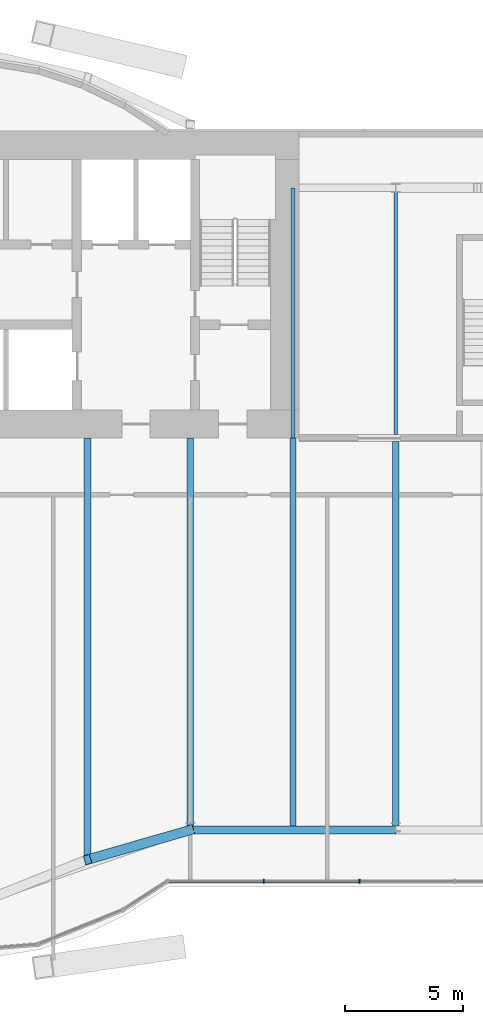
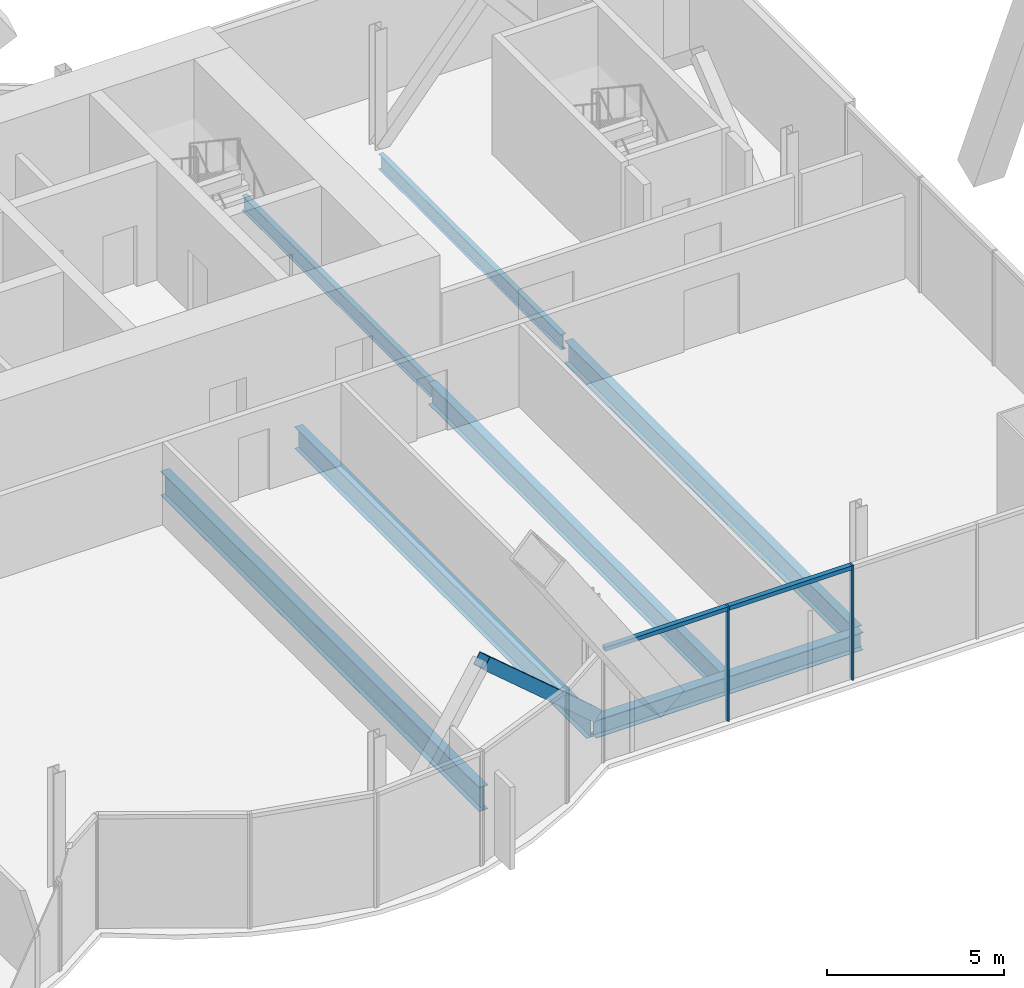
# One storey, part 11 of 24: 7 beams, 5 members, 1 element without a shape of its own.
"""IFC4 building model written with IfcOpenShell, lengths in metres."""

from ifc_helpers import new_model, si_unit, direction, frame, origin, origin_2d, place, context, subcontext, project, spatial, rectangle, hollow_rectangle, i_section, extrude, material, material_profile, profile_set, type_object, element, aggregate, save


model = new_model("IFC4")

# Units and contexts
model_context = context("Model", 3, precision=1e-05, world=origin(), true_north=direction((0.0, 1.0)))
body_context = subcontext(model_context, "Body", "Model", "MODEL_VIEW")
ifc_project = project(units=[si_unit("LENGTHUNIT", "METRE"), si_unit("AREAUNIT", "SQUARE_METRE"), si_unit("VOLUMEUNIT", "CUBIC_METRE"), si_unit("PLANEANGLEUNIT", "RADIAN"), si_unit("MASSUNIT", "GRAM", prefix="KILO")], contexts=[model_context])

# Site, building, storey
site_placement = place(None, origin())
site = spatial("IfcSite", under=ifc_project, at=site_placement, CompositionType="ELEMENT")
building_placement = place(site_placement, origin())
building = spatial("IfcBuilding", under=site, at=building_placement, Name="Bicima Exchange Tower", CompositionType="ELEMENT")
storey_placement = place(building_placement, frame((0.0, 0.0, 211.39990234375)))
storey = spatial("IfcBuildingStorey", under=building, at=storey_placement, Name="L47", CompositionType="ELEMENT", Elevation=211.39990234375)

# Beams
ifc_material_1 = material(Name="Steel ASTM A992 Gr 50", Category="steel")
ifc_material_profile_1 = material_profile(ifc_material_1, i_section(OverallWidth=0.165771484375, OverallDepth=0.5283203125, WebThickness=0.009765625, FlangeThickness=0.013671875, at=origin_2d()))
ifc_profile_set_1 = profile_set([ifc_material_profile_1], Name="Steel ASTM A992 Gr 50")
beam_type_1 = type_object("IfcBeamType", Name="Floor beam W21x50", PredefinedType="JOIST", material=ifc_profile_set_1)
beam_1_placement = place(storey_placement, frame((21.75, -2.39990234375, -0.4140625), z_axis=(0.0, -1.0, 0.0), x_axis=(1.0, 0.0, 0.0)))
element("IfcBeam", 1, at=beam_1_placement, inside=storey, type_object=beam_type_1, Name="Floor beam", PredefinedType="JOIST", context=body_context, shape_type="SweptSolid", body=[
    extrude(i_section(OverallWidth=0.165771484375, OverallDepth=0.5283203125, WebThickness=0.009765625, FlangeThickness=0.013671875, at=origin_2d()), origin(), (0.0, 0.0, 1.0), 10.60009765625),
])
beam_2_placement = place(storey_placement, frame((26.10009765625, -2.5625, -0.4140625), z_axis=(0.0, -1.0, 0.0), x_axis=(1.0, 0.0, 0.0)))
element("IfcBeam", 2, at=beam_2_placement, inside=storey, type_object=beam_type_1, Name="Floor beam", PredefinedType="JOIST", context=body_context, shape_type="SweptSolid", body=[
    extrude(i_section(OverallWidth=0.165771484375, OverallDepth=0.5283203125, WebThickness=0.009765625, FlangeThickness=0.013671875, at=origin_2d()), origin(), (0.0, 0.0, 1.0), 10.28515625),
])
ifc_material_profile_2 = material_profile(ifc_material_1, i_section(OverallWidth=0.2666015625, OverallDepth=0.75439453125, WebThickness=0.01318359375, FlangeThickness=0.01708984375, at=origin_2d()))
ifc_profile_set_2 = profile_set([ifc_material_profile_2], Name="Steel ASTM A992 Gr 50")
beam_type_2 = type_object("IfcBeamType", Name="Floor beam W30x99", PredefinedType="JOIST", material=ifc_profile_set_2)
beam_3_placement = place(storey_placement, frame((17.39990234375, -13.0, -0.527099609375), z_axis=(0.0, -1.0, 0.0), x_axis=(1.0, 0.0, 0.0)))
element("IfcBeam", 3, at=beam_3_placement, inside=storey, type_object=beam_type_2, Name="Floor beam", PredefinedType="JOIST", context=body_context, shape_type="SweptSolid", body=[
    extrude(i_section(OverallWidth=0.2666015625, OverallDepth=0.75439453125, WebThickness=0.01318359375, FlangeThickness=0.01708984375, at=origin_2d()), origin(), (0.0, 0.0, 1.0), 16.46044921875),
])
beam_4_placement = place(storey_placement, frame((21.75, -13.0, -0.527099609375), z_axis=(0.0, -1.0, 0.0), x_axis=(1.0, 0.0, 0.0)))
element("IfcBeam", 4, at=beam_4_placement, inside=storey, type_object=beam_type_2, Name="Floor beam", PredefinedType="JOIST", context=body_context, shape_type="SweptSolid", body=[
    extrude(i_section(OverallWidth=0.2666015625, OverallDepth=0.75439453125, WebThickness=0.01318359375, FlangeThickness=0.01708984375, at=origin_2d()), origin(), (0.0, 0.0, 1.0), 16.433349609375),
])
beam_5_placement = place(storey_placement, frame((26.10009765625, -13.15234375, -0.527099609375), z_axis=(0.0, -1.0, 0.0), x_axis=(1.0, 0.0, 0.0)))
element("IfcBeam", 5, at=beam_5_placement, inside=storey, type_object=beam_type_2, Name="Floor beam", PredefinedType="JOIST", context=body_context, shape_type="SweptSolid", body=[
    extrude(i_section(OverallWidth=0.2666015625, OverallDepth=0.75439453125, WebThickness=0.01318359375, FlangeThickness=0.01708984375, at=origin_2d()), origin(), (0.0, 0.0, 1.0), 16.281005859375),
])
ifc_material_profile_3 = material_profile(ifc_material_1, i_section(OverallWidth=0.2919921875, OverallDepth=0.835693359375, WebThickness=0.013916015625, FlangeThickness=0.018798828125, at=origin_2d()))
ifc_profile_set_3 = profile_set([ifc_material_profile_3], Name="Steel ASTM A992 Gr 50")
beam_type_3 = type_object("IfcBeamType", Name="Floor beam W33x118", PredefinedType="JOIST", material=ifc_profile_set_3)
beam_6_placement = place(storey_placement, frame((13.050048828125, -13.0, -0.567626953125), z_axis=(0.0, -1.0, 0.0), x_axis=(1.0, 0.0, 0.0)))
element("IfcBeam", 6, at=beam_6_placement, inside=storey, type_object=beam_type_3, Name="Floor beam", PredefinedType="JOIST", context=body_context, shape_type="SweptSolid", body=[
    extrude(i_section(OverallWidth=0.2919921875, OverallDepth=0.835693359375, WebThickness=0.013916015625, FlangeThickness=0.018798828125, at=origin_2d()), origin(), (0.0, 0.0, 1.0), 17.955810546875),
])
ifc_material_profile_4 = material_profile(ifc_material_1, i_section(OverallWidth=0.3251953125, OverallDepth=0.612060546875, WebThickness=0.0126953125, FlangeThickness=0.01904296875, at=origin_2d()))
ifc_profile_set_4 = profile_set([ifc_material_profile_4], Name="Steel ASTM A992 Gr 50")
beam_type_4 = type_object("IfcBeamType", Name="Front girder W24x104", PredefinedType="BEAM", material=ifc_profile_set_4)
beam_7_placement = place(storey_placement, frame((17.39990234375, -29.595947265625, -0.4560546875), z_axis=(1.0, 0.0, 0.0), x_axis=(0.0, 1.0, 0.0)))
element("IfcBeam", 7, at=beam_7_placement, inside=storey, type_object=beam_type_4, Name="Front girder", PredefinedType="BEAM", context=body_context, shape_type="SweptSolid", body=[
    extrude(i_section(OverallWidth=0.3251953125, OverallDepth=0.612060546875, WebThickness=0.0126953125, FlangeThickness=0.01904296875, at=origin_2d()), origin(), (0.0, 0.0, 1.0), 8.7001953125),
])

# Curtain wall, members
ifc_material_2 = material(Name="Anodised bronze aluminium", Category="aluminium")
curtain_wall_type = type_object("IfcCurtainWallType", Name="Front glass wall", PredefinedType="NOTDEFINED", material=ifc_material_2)
curtain_wall_placement = place(storey_placement, origin())
curtain_wall = element("IfcCurtainWall", 8, at=curtain_wall_placement, inside=storey, type_object=curtain_wall_type, Name="Front glass wall L47 run 16", PredefinedType="NOTDEFINED")
ifc_material_profile_5 = material_profile(ifc_material_2, rectangle(XDim=0.159912109375, YDim=0.06005859375, at=origin_2d()))
ifc_profile_set_5 = profile_set([ifc_material_profile_5], Name="Anodised bronze aluminium")
member_type_1 = type_object("IfcMemberType", Name="Front glass wall mullion 60 x 160", PredefinedType="MULLION", material=ifc_profile_set_5)
member_1_placement = place(storey_placement, frame((20.51171875, -31.76611328125, 0.0), z_axis=(0.0, 0.0, 1.0), x_axis=(0.0, 1.0, 0.0)))
member_1 = element("IfcMember", 9, at=member_1_placement, type_object=member_type_1, Name="Front glass wall mullion 2", PredefinedType="MULLION", context=body_context, shape_type="SweptSolid", body=[
    extrude(rectangle(XDim=0.159912109375, YDim=0.06005859375, at=origin_2d()), origin(), (0.0, 0.0, 1.0), 3.9501953125),
])
member_2_placement = place(storey_placement, frame((24.56103515625, -31.76611328125, 0.0), z_axis=(0.0, 0.0, 1.0), x_axis=(0.0, 1.0, 0.0)))
member_2 = element("IfcMember", 10, at=member_2_placement, type_object=member_type_1, Name="Front glass wall mullion 3", PredefinedType="MULLION", context=body_context, shape_type="SweptSolid", body=[
    extrude(rectangle(XDim=0.159912109375, YDim=0.06005859375, at=origin_2d()), origin(), (0.0, 0.0, 1.0), 3.9501953125),
])
ifc_material_profile_6 = material_profile(ifc_material_2, rectangle(XDim=0.159912109375, YDim=0.139892578125, at=origin_2d()))
ifc_profile_set_6 = profile_set([ifc_material_profile_6], Name="Anodised bronze aluminium")
member_type_2 = type_object("IfcMemberType", Name="Front glass wall transom 140 x 160", PredefinedType="USERDEFINED", material=ifc_profile_set_6)
member_3_placement = place(storey_placement, frame((16.4921875, -31.76611328125, 3.880126953125), z_axis=(1.0, 0.0, 0.0), x_axis=(0.0, 1.0, 0.0)))
member_3 = element("IfcMember", 11, at=member_3_placement, type_object=member_type_2, Name="Front glass wall transom 1.1", ObjectType="TRANSOM", PredefinedType="USERDEFINED", context=body_context, shape_type="SweptSolid", body=[
    extrude(rectangle(XDim=0.159912109375, YDim=0.139892578125, at=origin_2d()), origin(), (0.0, 0.0, 1.0), 3.989501953125),
])
member_4_placement = place(storey_placement, frame((20.54150390625, -31.76611328125, 3.880126953125), z_axis=(1.0, 0.0, 0.0), x_axis=(0.0, 1.0, 0.0)))
member_4 = element("IfcMember", 12, at=member_4_placement, type_object=member_type_2, Name="Front glass wall transom 2.1", ObjectType="TRANSOM", PredefinedType="USERDEFINED", context=body_context, shape_type="SweptSolid", body=[
    extrude(rectangle(XDim=0.159912109375, YDim=0.139892578125, at=origin_2d()), origin(), (0.0, 0.0, 1.0), 3.989501953125),
])
aggregate(curtain_wall, [member_1, member_2, member_3, member_4])

# Member
ifc_material_3 = material(Name="Steel ASTM A572 Gr 50", Category="steel")
ifc_material_profile_7 = material_profile(ifc_material_3, hollow_rectangle(XDim=0.406494140625, YDim=0.406494140625, WallThickness=0.0146484375, at=origin_2d()))
ifc_profile_set_7 = profile_set([ifc_material_profile_7], Name="Steel ASTM A572 Gr 50")
member_type_3 = type_object("IfcMemberType", Name="Mega brace HSS16x16x5/8", PredefinedType="BRACE", material=ifc_profile_set_7)
member_5_placement = place(storey_placement, frame((17.39990234375, -29.595947265625, 0.0), z_axis=(-0.71224719859, -0.204915481842, 0.671352048781), x_axis=(0.27648739579, -0.961017544049, 0.0)))
element("IfcMember", 13, at=member_5_placement, inside=storey, type_object=member_type_3, Name="Mega brace front", PredefinedType="BRACE", context=body_context, shape_type="SweptSolid", body=[
    extrude(hollow_rectangle(XDim=0.406494140625, YDim=0.406494140625, WallThickness=0.0146484375, at=origin_2d()), origin(), (0.0, 0.0, 1.0), 6.107177734375),
])

save(model, "model.ifc")
